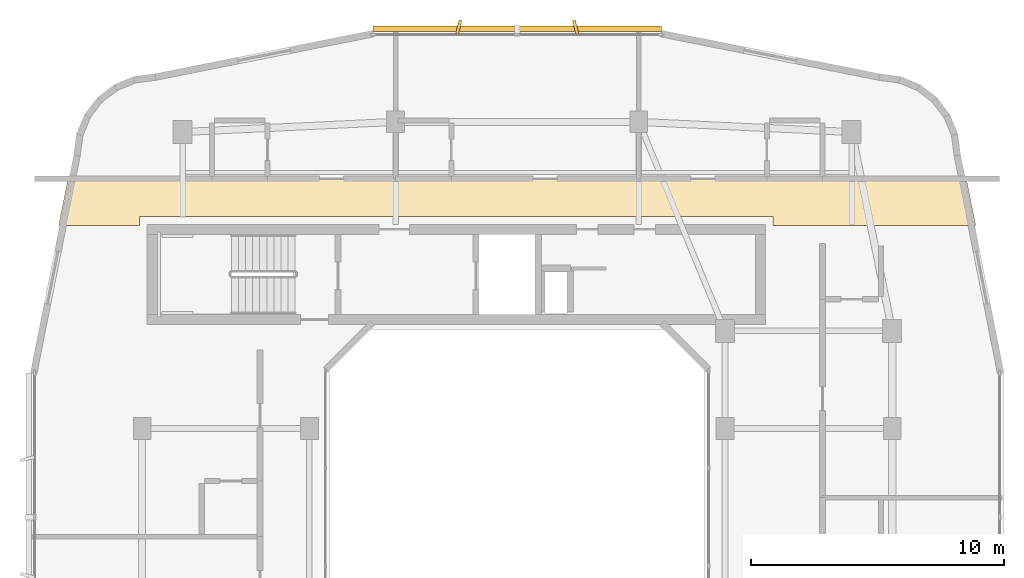
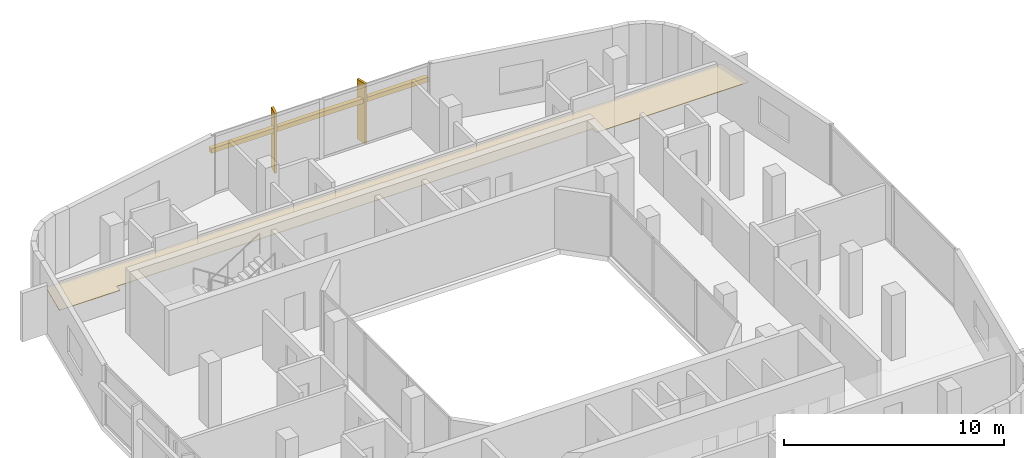
# One storey, part 14 of 14: 3 shading devices, 1 covering.
"""IFC4 building model written with IfcOpenShell, lengths in metres."""

import ifcopenshell
import ifcopenshell.guid

model = None  # the IFC model being written
_history = None  # IfcOwnerHistory: only IFC2X3 demands one
_inside = {}  # id of a spatial element -> (the spatial element, [elements in it])
_under = {}  # id of a project, library or spatial element -> (it, [spatial elements below it])
_declared = {}  # id of a project -> (the project, [libraries it declares])
_typed = {}  # id of a type object -> (the type object, [elements of that type])
_made_of = {}  # id of a material, layer set ... -> (it, [elements and type objects made of it])


def new_model(schema):
    """Start an empty IFC model of exactly this schema.

    Asked for "IFC4X3", IfcOpenShell would pick the latest addendum, in which some entities
    have other attributes; the version numbers below select the first issue.
    IFC2X3 requires an IfcOwnerHistory on every rooted entity: one is made here for all.
    """
    global model, _history
    if schema == "IFC4X3":
        model = ifcopenshell.file(schema_version=(4, 3, 0, 0))
    else:
        model = ifcopenshell.file(schema=schema)
    _inside.clear()
    _under.clear()
    _declared.clear()
    _typed.clear()
    _made_of.clear()
    _history = None
    if model.schema == "IFC2X3":
        org = make("IfcOrganization", Name="unknown")
        user = make(
            "IfcPersonAndOrganization",
            ThePerson=make("IfcPerson", FamilyName="unknown"),
            TheOrganization=org,
        )
        app = make(
            "IfcApplication",
            ApplicationDeveloper=org,
            Version="unknown",
            ApplicationFullName="unknown",
            ApplicationIdentifier="unknown",
        )
        _history = make(
            "IfcOwnerHistory",
            OwningUser=user,
            OwningApplication=app,
            ChangeAction="ADDED",
            CreationDate=0,
        )
    return model


def make(cls, **values):
    """One entity of the class cls with the attributes given. An attribute that is None is left unset."""
    return model.create_entity(
        cls, **{name: value for name, value in values.items() if value is not None}
    )


def rooted(cls, **values):
    """An entity with a GlobalId (a new one), such as an element, a storey or a relation."""
    return make(cls, GlobalId=ifcopenshell.guid.new(), OwnerHistory=_history, **values)


def si_unit(unit_type, name, prefix=None):
    """IfcSIUnit, for example si_unit("LENGTHUNIT", "METRE", prefix="MILLI")."""
    return make("IfcSIUnit", UnitType=unit_type, Prefix=prefix, Name=name)


def derived_unit(unit_type, elements):
    """IfcDerivedUnit: a product of units, each with its exponent."""
    return make(
        "IfcDerivedUnit",
        Elements=[
            make("IfcDerivedUnitElement", Unit=unit, Exponent=power)
            for unit, power in elements
        ],
        UnitType=unit_type,
    )


def assignment(units):
    """IfcUnitAssignment: the units of a project."""
    return None if units is None else make("IfcUnitAssignment", Units=units)


def point(xyz):
    """IfcCartesianPoint."""
    return None if xyz is None else make("IfcCartesianPoint", Coordinates=xyz)


def direction(xyz):
    """IfcDirection."""
    return None if xyz is None else make("IfcDirection", DirectionRatios=xyz)


def frame(location, z_axis=None, x_axis=None):
    """IfcAxis2Placement3D, a coordinate frame: its origin and axes. An axis left out is left unset."""
    return make(
        "IfcAxis2Placement3D",
        Location=point(location),
        Axis=direction(z_axis),
        RefDirection=direction(x_axis),
    )


def frame_2d(location, x_axis=None):
    """IfcAxis2Placement2D, a coordinate frame in the plane: its origin and x axis."""
    return make(
        "IfcAxis2Placement2D", Location=point(location), RefDirection=direction(x_axis)
    )


def origin():
    """The frame at (0, 0, 0) with its axes left unset."""
    return frame((0.0, 0.0, 0.0))


def origin_2d():
    """The frame at (0, 0) in the plane with its x axis left unset."""
    return frame_2d((0.0, 0.0))


def place(relative_to, where):
    """IfcLocalPlacement: puts the frame where relative to a parent placement (None: the world)."""
    return make(
        "IfcLocalPlacement", PlacementRelTo=relative_to, RelativePlacement=where
    )


def context(
    kind, dimensions, precision=None, world=None, true_north=None, identifier=None
):
    """IfcGeometricRepresentationContext, for example the 3D "Model" context."""
    return make(
        "IfcGeometricRepresentationContext",
        ContextIdentifier=identifier,
        ContextType=kind,
        CoordinateSpaceDimension=dimensions,
        Precision=precision,
        WorldCoordinateSystem=world,
        TrueNorth=true_north,
    )


def subcontext(parent, identifier, kind, view, scale=None):
    """IfcGeometricRepresentationSubContext, for example "Body" below "Model"."""
    return make(
        "IfcGeometricRepresentationSubContext",
        ContextIdentifier=identifier,
        ContextType=kind,
        ParentContext=parent,
        TargetScale=scale,
        TargetView=view,
    )


def project(units=None, contexts=None):
    """IfcProject with its units and contexts."""
    return rooted(
        "IfcProject",
        Name="project",
        RepresentationContexts=contexts,
        UnitsInContext=assignment(units),
    )


def spatial(cls, under=None, at=None, **own):
    """A site, building, storey or space (cls), placed at a placement, below another one or the project."""
    s = rooted(cls, ObjectPlacement=at, **own)
    if under is not None:
        _under.setdefault(under.id(), (under, []))[1].append(s)
    return s


def polyline(points):
    """IfcPolyline through the points."""
    return make("IfcPolyline", Points=[point(p) for p in points])


def profile(cls, at=None, kind="AREA", **sizes):
    """A parametric profile (cls). Its sizes go by their IFC names, for example OverallWidth=200.0."""
    return make(cls, ProfileType=kind, Position=at, **sizes)


def rectangle(**sizes):
    """IfcRectangleProfileDef."""
    return profile("IfcRectangleProfileDef", **sizes)


def outline(outer, holes=None, kind="AREA"):
    """IfcArbitraryClosedProfileDef: a profile drawn as a closed curve; with holes, ...WithVoids."""
    if holes is None:
        return make("IfcArbitraryClosedProfileDef", ProfileType=kind, OuterCurve=outer)
    return make(
        "IfcArbitraryProfileDefWithVoids",
        ProfileType=kind,
        OuterCurve=outer,
        InnerCurves=holes,
    )


def extrude(swept, where, along, depth):
    """IfcExtrudedAreaSolid: the profile swept, set in the frame where, extruded along a direction by depth."""
    return make(
        "IfcExtrudedAreaSolid",
        SweptArea=swept,
        Position=where,
        ExtrudedDirection=direction(along),
        Depth=depth,
    )


def shape(context_of_items, identifier, shape_type, items):
    """IfcShapeRepresentation: the items that make up one representation, for example the "Body"."""
    return make(
        "IfcShapeRepresentation",
        ContextOfItems=context_of_items,
        RepresentationIdentifier=identifier,
        RepresentationType=shape_type,
        Items=items,
    )


def material(Name=None, Category=None):
    """IfcMaterial."""
    return make("IfcMaterial", Name=Name, Category=Category)


def layer(
    of_material, thickness, ventilated=None, Name=None, Category=None, Priority=None
):
    """IfcMaterialLayer: one layer of a wall or slab, of a material (None: an air gap)."""
    return make(
        "IfcMaterialLayer",
        Material=of_material,
        LayerThickness=thickness,
        IsVentilated=ventilated,
        Name=Name,
        Category=Category,
        Priority=Priority,
    )


def layer_set(layers, Name=None):
    """IfcMaterialLayerSet."""
    return make("IfcMaterialLayerSet", MaterialLayers=layers, LayerSetName=Name)


def made_of(thing, what):
    """Note that an element or type object is made of a material, layer set ...; save() writes the relation."""
    if what is not None:
        _made_of.setdefault(what.id(), (what, []))[1].append(thing)
    return thing


def type_object(cls, material=None, **own):
    """A type object (cls), such as IfcWallType, which elements share."""
    return made_of(rooted(cls, **own), material)


def element(
    cls,
    number,
    at=None,
    inside=None,
    cuts=None,
    type_object=None,
    material=None,
    context=None,
    identifier="Body",
    shape_type=None,
    held_by="IfcProductDefinitionShape",
    body=None,
    shapes=None,
    **own,
):
    """One element of the class cls, such as IfcWall. Its Tag is "e" and its number.

    at: its placement. inside: the storey or other place that contains it. cuts: it is an
    opening in that element (IfcRelVoidsElement). A single representation is given by context,
    identifier, shape_type and body (its items); several are given by shapes. held_by: the class
    of the entity that holds the representations. save() writes the other relations.
    """
    e = rooted(cls, Tag="e%d" % number, ObjectPlacement=at, **own)
    if body is not None:
        shapes = [shape(context, identifier, shape_type, body)]
    if shapes is not None:
        e.Representation = make(held_by, Representations=shapes)
    if inside is not None:
        _inside.setdefault(inside.id(), (inside, []))[1].append(e)
    if cuts is not None:
        rooted(
            "IfcRelVoidsElement", RelatingBuildingElement=cuts, RelatedOpeningElement=e
        )
    if type_object is not None:
        _typed.setdefault(type_object.id(), (type_object, []))[1].append(e)
    return made_of(e, material)


def aggregate(whole, parts):
    """IfcRelAggregates: a whole, such as a stair, and the parts it consists of."""
    return rooted("IfcRelAggregates", RelatingObject=whole, RelatedObjects=parts)


def save(model, path):
    """Write the relations noted so far, then the file.

    IfcRelAggregates (storeys below a building ...), IfcRelContainedInSpatialStructure (elements
    in a storey), IfcRelDefinesByType, IfcRelAssociatesMaterial and IfcRelDeclares: one each for
    every whole, place, type object, material and project.
    """
    for whole, parts in _under.values():
        aggregate(whole, parts)
    for where, things in _inside.values():
        rooted(
            "IfcRelContainedInSpatialStructure",
            RelatedElements=things,
            RelatingStructure=where,
        )
    for kind, things in _typed.values():
        rooted("IfcRelDefinesByType", RelatedObjects=things, RelatingType=kind)
    for what, things in _made_of.values():
        rooted("IfcRelAssociatesMaterial", RelatedObjects=things, RelatingMaterial=what)
    for by, libraries in _declared.values():
        rooted("IfcRelDeclares", RelatingContext=by, RelatedDefinitions=libraries)
    model.write(path)


model = new_model("IFC4")

# Units and contexts
model_context = context("Model", 3, precision=1e-05, world=origin(), true_north=direction((0.0, 1.0)))
body_context = subcontext(model_context, "Body", "Model", "MODEL_VIEW")
ifc_project = project(units=[si_unit("LENGTHUNIT", "METRE"), si_unit("AREAUNIT", "SQUARE_METRE"), si_unit("VOLUMEUNIT", "CUBIC_METRE"), si_unit("PLANEANGLEUNIT", "RADIAN"), si_unit("MASSUNIT", "GRAM", prefix="KILO"), derived_unit("THERMALTRANSMITTANCEUNIT", [(si_unit("POWERUNIT", "WATT"), 1), (si_unit("LENGTHUNIT", "METRE"), -2), (si_unit("THERMODYNAMICTEMPERATUREUNIT", "KELVIN"), -1)])], contexts=[model_context])

# Site, building, storey
site_placement = place(None, origin())
site = spatial("IfcSite", under=ifc_project, at=site_placement, CompositionType="ELEMENT")
building_placement = place(site_placement, origin())
building = spatial("IfcBuilding", under=site, at=building_placement, Name="Kivonza Crest Hotel", CompositionType="ELEMENT")
storey_placement = place(building_placement, frame((0.0, 0.0, 217.10009765625)))
storey = spatial("IfcBuildingStorey", under=building, at=storey_placement, Name="L59", CompositionType="ELEMENT", Elevation=217.10009765625)

# Covering
ifc_material_1 = material(Name="Moisture-resistant gypsum plasterboard ceiling", Category="gypsum")
ifc_layer = layer(ifc_material_1, 0.030029296875)
ifc_layer_set = layer_set([ifc_layer], Name="Moisture-resistant gypsum plasterboard ceiling")
covering_type = type_object("IfcCoveringType", Name="CV-CEIL-GYP", PredefinedType="CEILING", material=ifc_layer_set)
covering_placement = place(storey_placement, frame((0.0, 0.0, 2.449951171875)))
element("IfcCovering", 1, at=covering_placement, inside=storey, type_object=covering_type, Name="L59 Hotel North Guest Corridor suspended ceiling", PredefinedType="CEILING", context=body_context, shape_type="SweptSolid", body=[
    extrude(outline(polyline([(3.278076171875, 38.389892578125), (2.906005859375, 36.52001953125), (6.10009765625, 36.52001953125), (6.10009765625, 36.860107421875), (31.10009765625, 36.860107421875), (31.10009765625, 36.52001953125), (39.093994140625, 36.52001953125), (38.721923828125, 38.389892578125), (3.278076171875, 38.389892578125)])), origin(), (0.0, 0.0, 1.0), 0.030029296875),
])

# Shading devices
ifc_material_2 = material(Name="Kiln-fired Nairobi red-ochre terracotta", Category="masonry")
shading_device_type_1 = type_object("IfcShadingDeviceType", Name="SH-BAGUETTE-300", PredefinedType="USERDEFINED", material=ifc_material_2)
shading_device_placement = place(storey_placement, frame((21.0, 44.280029296875, 2.19384765625), z_axis=(0.0, 0.0, 1.0), x_axis=(-1.0, 0.0, 0.0)))
element("IfcShadingDevice", 2, at=shading_device_placement, inside=storey, type_object=shading_device_type_1, Name="L59 terracotta baguette screen CW-T1-L59-26", ObjectType="BAGUETTE", PredefinedType="USERDEFINED", context=body_context, shape_type="SweptSolid", body=[
    extrude(rectangle(XDim=11.39990234375, YDim=0.219970703125, at=origin_2d()), origin(), (0.0, 0.0, 1.0), 0.260009765625),
])
ifc_material_3 = material(Name="Kiln-fired terracotta over extruded aluminium spine", Category="masonry")
shading_device_type_2 = type_object("IfcShadingDeviceType", Name="SH-FIN-550", PredefinedType="USERDEFINED", material=ifc_material_3)
for number, where, z_axis, x_axis, name in (
    (3, (23.303955078125, 44.340087890625, 0.0), (0.0, 0.0, 1.0), (-0.970295726276, -0.2419218956, 0.0), "L59 vertical solar shading fin CW-T1-L59-26-1"),
    (4, (18.696044921875, 44.340087890625, 0.0), (0.0, 0.0, 1.0), (-0.970295726276, 0.2419218956, 0.0), "L59 vertical solar shading fin CW-T1-L59-26-2"),
):
    element("IfcShadingDevice", number, at=place(storey_placement, frame(where, z_axis=z_axis, x_axis=x_axis)), inside=storey, type_object=shading_device_type_2, Name=name, ObjectType="FIN", PredefinedType="USERDEFINED", context=body_context, shape_type="SweptSolid", body=[
        extrude(rectangle(XDim=0.1201171875, YDim=0.550048828125, at=origin_2d()), origin(), (0.0, 0.0, 1.0), 3.320068359375),
    ])

save(model, "model.ifc")
